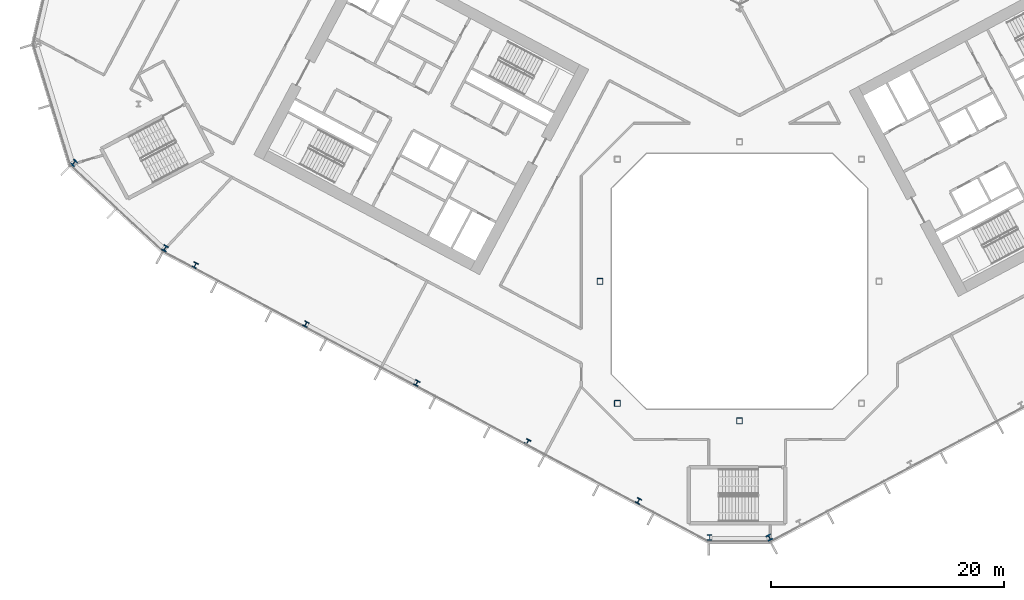
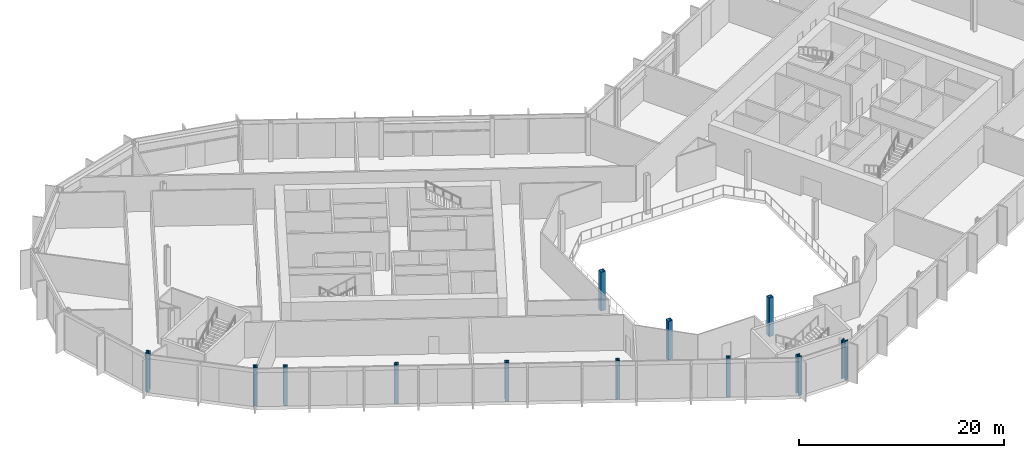
# One storey, part 1 of 31: 12 columns.
"""IFC4 building model written with IfcOpenShell, lengths in metres."""

from ifc_helpers import new_model, si_unit, direction, frame, origin, origin_2d, place, context, subcontext, project, spatial, hollow_rectangle, i_section, extrude, material, material_profile, profile_set, type_object, element, save


model = new_model("IFC4")

# Units and contexts
model_context = context("Model", 3, precision=1e-05, world=origin(), true_north=direction((0.0, 1.0)))
body_context = subcontext(model_context, "Body", "Model", "MODEL_VIEW")
ifc_project = project(units=[si_unit("LENGTHUNIT", "METRE"), si_unit("AREAUNIT", "SQUARE_METRE"), si_unit("VOLUMEUNIT", "CUBIC_METRE"), si_unit("PLANEANGLEUNIT", "RADIAN"), si_unit("MASSUNIT", "GRAM", prefix="KILO")], contexts=[model_context])

# Site, building, storey
site_placement = place(None, origin())
site = spatial("IfcSite", under=ifc_project, at=site_placement, CompositionType="ELEMENT")
building_placement = place(site_placement, origin())
building = spatial("IfcBuilding", under=site, at=building_placement, Name="Cormorant Relay Tower", CompositionType="ELEMENT")
storey_placement = place(building_placement, frame((0.0, 0.0, 93.800048828125)))
storey = spatial("IfcBuildingStorey", under=building, at=storey_placement, Name="L18", CompositionType="ELEMENT", Elevation=93.800048828125)

# Columns
ifc_material_1 = material(Name="Steel ASTM A500 Grade C (Fy 345 MPa)", Category="steel")
ifc_material_profile_1 = material_profile(ifc_material_1, hollow_rectangle(XDim=0.508056640625, YDim=0.508056640625, WallThickness=0.020751953125, InnerFilletRadius=0.01025390625, OuterFilletRadius=0.031005859375, at=origin_2d()), Name="HSS508x508x21")
ifc_profile_set_1 = profile_set([ifc_material_profile_1], Name="Steel ASTM A500 Grade C (Fy 345 MPa)")
column_type_1 = type_object("IfcColumnType", Name="Column HSS508x508x21", PredefinedType="COLUMN", material=ifc_profile_set_1)
for number, where, z_axis, x_axis, name in (
    (1, (0.0, -12.0, 0.0), (0.0, 0.0, 1.0), (1.0, 0.0, 0.0), "Column L18-007"),
    (2, (-10.5, -10.5, 0.0), (0.0, 0.0, 1.0), (1.0, 0.0, 0.0), "Column L18-009"),
    (3, (-12.0, 0.0, 0.0), (0.0, 0.0, 1.0), (1.0, 0.0, 0.0), "Column L18-015"),
):
    element("IfcColumn", number, at=place(storey_placement, frame(where, z_axis=z_axis, x_axis=x_axis)), inside=storey, type_object=column_type_1, Name=name, PredefinedType="COLUMN", context=body_context, shape_type="SweptSolid", body=[
        extrude(hollow_rectangle(XDim=0.508056640625, YDim=0.508056640625, WallThickness=0.020751953125, InnerFilletRadius=0.01025390625, OuterFilletRadius=0.031005859375, at=origin_2d()), origin(), (0.0, 0.0, 1.0), 4.599853515625),
    ])
ifc_material_2 = material(Name="Steel ASTM A992 (Fy 345 MPa)", Category="steel")
ifc_material_profile_2 = material_profile(ifc_material_2, i_section(OverallWidth=0.42431640625, OverallDepth=0.47509765625, WebThickness=0.0478515625, FlangeThickness=0.0771484375, FilletRadius=0.014892578125, at=origin_2d()), Name="W360x634")
ifc_profile_set_2 = profile_set([ifc_material_profile_2], Name="Steel ASTM A992 (Fy 345 MPa)")
column_type_2 = type_object("IfcColumnType", Name="Column W360x634", PredefinedType="COLUMN", material=ifc_profile_set_2)
for number, where, z_axis, x_axis, name in (
    (4, (-8.68701171875, -18.89306640625, 0.0), (0.0, 0.0, 1.0), (0.882947592859, -0.469471562786, 0.0), "Column L18-004"),
    (5, (-18.222900390625, -13.822998046875, 0.0), (0.0, 0.0, 1.0), (0.882947592859, -0.469471562786, 0.0), "Column L18-006"),
    (6, (-27.758056640625, -8.7529296875, 0.0), (0.0, 0.0, 1.0), (0.882947592859, -0.469471562786, 0.0), "Column L18-011"),
    (7, (-37.2939453125, -3.681884765625, 0.0), (0.0, 0.0, 1.0), (0.882947592859, -0.469471562786, 0.0), "Column L18-013"),
    (8, (-46.830078125, 1.387939453125, 0.0), (0.0, 0.0, 1.0), (0.882947592859, -0.469471562786, 0.0), "Column L18-017"),
):
    element("IfcColumn", number, at=place(storey_placement, frame(where, z_axis=z_axis, x_axis=x_axis)), inside=storey, type_object=column_type_2, Name=name, PredefinedType="COLUMN", context=body_context, shape_type="SweptSolid", body=[
        extrude(i_section(OverallWidth=0.42431640625, OverallDepth=0.47509765625, WebThickness=0.0478515625, FlangeThickness=0.0771484375, FilletRadius=0.014892578125, at=origin_2d()), origin(), (0.0, 0.0, 1.0), 4.599853515625),
    ])
ifc_material_3 = material(Name="Steel ASTM A992 (Fy 345 MPa)", Category="steel")
ifc_material_profile_3 = material_profile(ifc_material_3, i_section(OverallWidth=0.43701171875, OverallDepth=0.51318359375, WebThickness=0.060546875, FlangeThickness=0.096923828125, FilletRadius=0.015380859375, at=origin_2d()), Name="W360x818")
ifc_profile_set_3 = profile_set([ifc_material_profile_3], Name="Steel ASTM A992 (Fy 345 MPa)")
column_type_3 = type_object("IfcColumnType", Name="Column W360x818", PredefinedType="COLUMN", material=ifc_profile_set_3)
for number, where, z_axis, x_axis, name in (
    (9, (-2.56689453125, -22.0458984375, 0.0), (0.0, 0.0, 1.0), (1.0, 0.0, 0.0), "Column L18-001"),
    (10, (2.56689453125, -22.0458984375, 0.0), (0.0, 0.0, 1.0), (0.882947592859, 0.469471562786, 0.0), "Column L18-002"),
    (11, (-49.412109375, 2.8369140625, 0.0), (0.0, 0.0, 1.0), (0.882947592859, -0.469471562786, 0.0), "Column L18-018"),
    (12, (-57.2451171875, 10.18310546875, 0.0), (0.0, 0.0, 1.0), (0.731353701619, -0.681998360062, 0.0), "Column L18-021"),
):
    element("IfcColumn", number, at=place(storey_placement, frame(where, z_axis=z_axis, x_axis=x_axis)), inside=storey, type_object=column_type_3, Name=name, PredefinedType="COLUMN", context=body_context, shape_type="SweptSolid", body=[
        extrude(i_section(OverallWidth=0.43701171875, OverallDepth=0.51318359375, WebThickness=0.060546875, FlangeThickness=0.096923828125, FilletRadius=0.015380859375, at=origin_2d()), origin(), (0.0, 0.0, 1.0), 4.599853515625),
    ])

save(model, "model.ifc")
